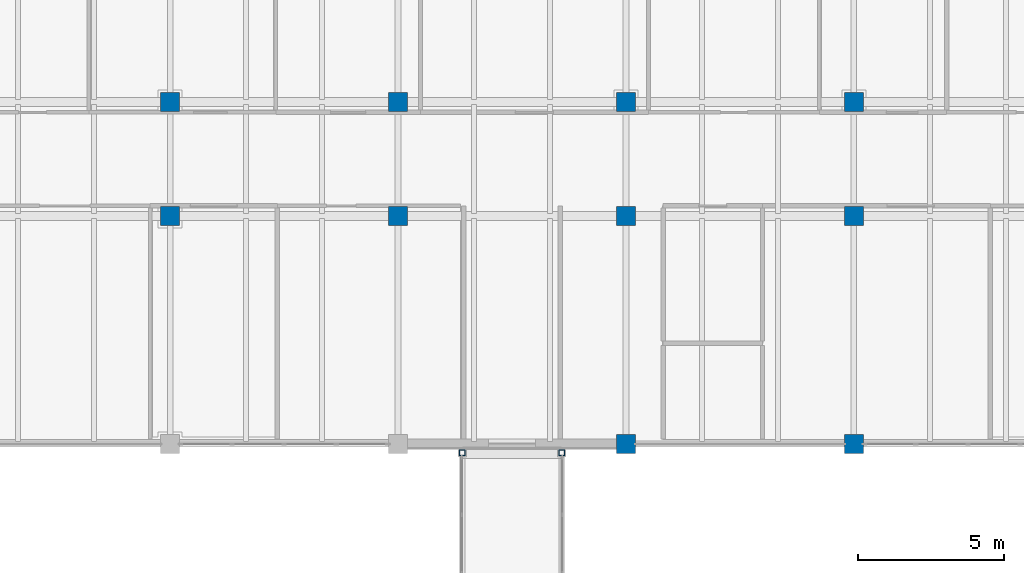
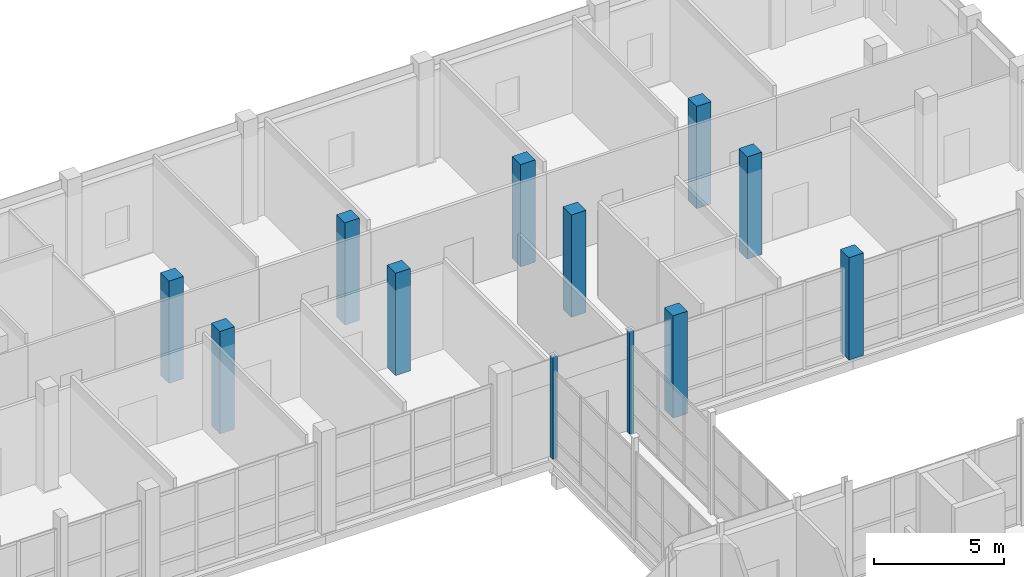
# One storey, part 23 of 131: 12 columns.
"""IFC4 building model written with IfcOpenShell, lengths in metres."""

from ifc_helpers import new_model, si_unit, direction, frame, origin, origin_2d, place, context, subcontext, project, spatial, rectangle, hollow_rectangle, extrude, material, material_profile, profile_set, type_object, element, save


model = new_model("IFC4")

# Units and contexts
model_context = context("Model", 3, precision=1e-05, world=origin(), true_north=direction((0.0, 1.0)))
body_context = subcontext(model_context, "Body", "Model", "MODEL_VIEW")
ifc_project = project(units=[si_unit("LENGTHUNIT", "METRE"), si_unit("AREAUNIT", "SQUARE_METRE"), si_unit("VOLUMEUNIT", "CUBIC_METRE"), si_unit("PLANEANGLEUNIT", "RADIAN"), si_unit("MASSUNIT", "GRAM", prefix="KILO")], contexts=[model_context])

# Site, building, storey
site_placement = place(None, origin())
site = spatial("IfcSite", under=ifc_project, at=site_placement, CompositionType="ELEMENT")
building_placement = place(site_placement, origin())
building = spatial("IfcBuilding", under=site, at=building_placement, Name="Celorna Specialist Clinic", CompositionType="ELEMENT")
storey_placement = place(building_placement, origin())
storey = spatial("IfcBuildingStorey", under=building, at=storey_placement, Name="L00", CompositionType="ELEMENT", Elevation=0.0)

# Columns
ifc_material_1 = material(Name="Concrete C40/50", Category="concrete")
ifc_material_profile_1 = material_profile(ifc_material_1, rectangle(XDim=0.64990234375, YDim=0.64990234375, at=origin_2d()), Name="RC 650x650")
ifc_profile_set_1 = profile_set([ifc_material_profile_1], Name="Concrete C40/50")
column_type_1 = type_object("IfcColumnType", Name="CT-03", PredefinedType="COLUMN", material=ifc_profile_set_1)
for number, where, z_axis, x_axis, name in (
    (1, (132.60009765625, 104.300048828125, 0.0), (0.0, 0.0, 1.0), (1.0, 0.0, 0.0), "Column CT-03 L00 X18/YS"),
    (2, (132.60009765625, 108.199951171875, 0.0), (0.0, 0.0, 1.0), (1.0, 0.0, 0.0), "Column CT-03 L00 X18/YT"),
    (3, (140.39990234375, 104.300048828125, 0.0), (0.0, 0.0, 1.0), (1.0, 0.0, 0.0), "Column CT-03 L00 X19/YS"),
    (4, (140.39990234375, 108.199951171875, 0.0), (0.0, 0.0, 1.0), (1.0, 0.0, 0.0), "Column CT-03 L00 X19/YT"),
    (5, (148.199951171875, 96.5, 0.0), (0.0, 0.0, 1.0), (1.0, 0.0, 0.0), "Column CT-03 L00 X20/YR"),
    (6, (148.199951171875, 104.300048828125, 0.0), (0.0, 0.0, 1.0), (1.0, 0.0, 0.0), "Column CT-03 L00 X20/YS"),
    (7, (148.199951171875, 108.199951171875, 0.0), (0.0, 0.0, 1.0), (1.0, 0.0, 0.0), "Column CT-03 L00 X20/YT"),
    (8, (156.0, 96.5, 0.0), (0.0, 0.0, 1.0), (1.0, 0.0, 0.0), "Column CT-03 L00 X21/YR"),
    (9, (156.0, 104.300048828125, 0.0), (0.0, 0.0, 1.0), (1.0, 0.0, 0.0), "Column CT-03 L00 X21/YS"),
    (10, (156.0, 108.199951171875, 0.0), (0.0, 0.0, 1.0), (1.0, 0.0, 0.0), "Column CT-03 L00 X21/YT"),
):
    element("IfcColumn", number, at=place(storey_placement, frame(where, z_axis=z_axis, x_axis=x_axis)), inside=storey, type_object=column_type_1, Name=name, PredefinedType="COLUMN", context=body_context, shape_type="SweptSolid", body=[
        extrude(rectangle(XDim=0.64990234375, YDim=0.64990234375, at=origin_2d()), origin(), (0.0, 0.0, 1.0), 4.800048828125),
    ])
ifc_material_2 = material(Name="Steel S355", Category="steel")
ifc_material_profile_2 = material_profile(ifc_material_2, hollow_rectangle(XDim=0.199951171875, YDim=0.199951171875, WallThickness=0.010009765625, at=origin_2d()), Name="SHS 200x200x10")
ifc_profile_set_2 = profile_set([ifc_material_profile_2], Name="Steel S355")
column_type_2 = type_object("IfcColumnType", Name="CT-15", PredefinedType="COLUMN", material=ifc_profile_set_2)
for number, where, z_axis, x_axis, name in (
    (11, (142.60009765625, 96.199951171875, 0.0), (0.0, 0.0, 1.0), (1.0, 0.0, 0.0), "Column CT-15 L00 X19/YR"),
    (12, (146.0, 96.199951171875, 0.0), (0.0, 0.0, 1.0), (1.0, 0.0, 0.0), "Column CT-15 L00 X20/YR"),
):
    element("IfcColumn", number, at=place(storey_placement, frame(where, z_axis=z_axis, x_axis=x_axis)), inside=storey, type_object=column_type_2, Name=name, PredefinedType="COLUMN", context=body_context, shape_type="SweptSolid", body=[
        extrude(hollow_rectangle(XDim=0.199951171875, YDim=0.199951171875, WallThickness=0.010009765625, at=origin_2d()), origin(), (0.0, 0.0, 1.0), 4.800048828125),
    ])

save(model, "model.ifc")
